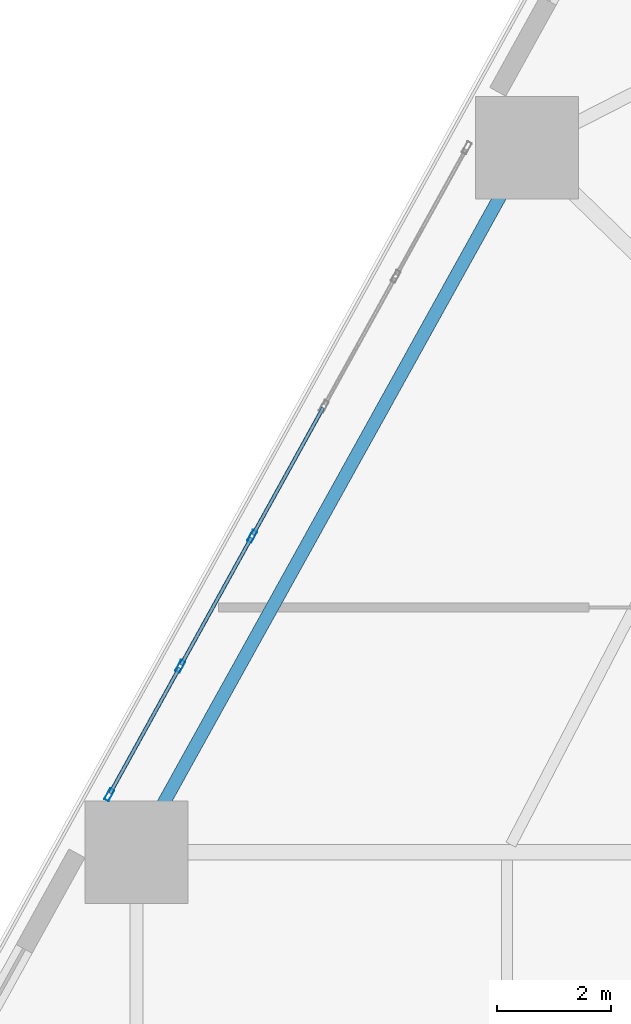
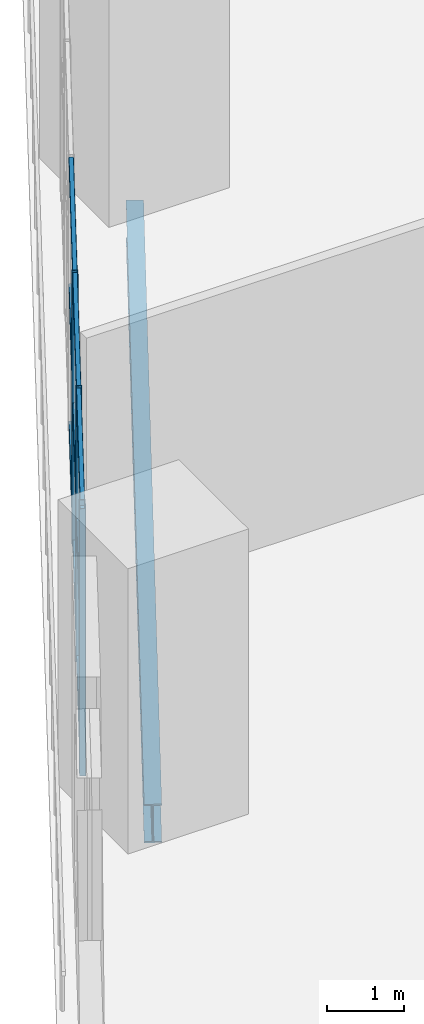
# One storey, part 5 of 18: 12 members, 1 beam, 1 element without a shape of its own.
"""IFC4 building model written with IfcOpenShell, lengths in metres."""

from ifc_helpers import new_model, si_unit, direction, frame, origin, origin_2d, place, context, subcontext, project, spatial, hollow_rectangle, i_section, extrude, material, layer, layer_set, material_profile, profile_set, type_object, element, aggregate, save


model = new_model("IFC4")

# Units and contexts
model_context = context("Model", 3, precision=1e-05, world=origin(), true_north=direction((0.0, 1.0)))
body_context = subcontext(model_context, "Body", "Model", "MODEL_VIEW")
ifc_project = project(units=[si_unit("LENGTHUNIT", "METRE"), si_unit("AREAUNIT", "SQUARE_METRE"), si_unit("VOLUMEUNIT", "CUBIC_METRE"), si_unit("PLANEANGLEUNIT", "RADIAN"), si_unit("MASSUNIT", "GRAM", prefix="KILO")], contexts=[model_context])

# Site, building, storey
site_placement = place(None, origin())
site = spatial("IfcSite", under=ifc_project, at=site_placement, CompositionType="ELEMENT")
building_placement = place(site_placement, origin())
building = spatial("IfcBuilding", under=site, at=building_placement, Name="Cinnabar Lancet Tower", CompositionType="ELEMENT")
storey_placement = place(building_placement, frame((0.0, 0.0, 15.0)))
storey = spatial("IfcBuildingStorey", under=building, at=storey_placement, Name="L03", CompositionType="ELEMENT", Elevation=15.0)

# Curtain wall, members
ifc_material_1 = material(Name="Thermally broken bronze-anodized aluminium and low-E glass", Category="aluminium")
ifc_layer = layer(ifc_material_1, 0.179931640625)
ifc_layer_set = layer_set([ifc_layer], Name="Thermally broken bronze-anodized aluminium and low-E glass")
curtain_wall_type = type_object("IfcCurtainWallType", Name="ENV-CW-SYS-02", PredefinedType="NOTDEFINED", material=ifc_layer_set)
curtain_wall_placement = place(storey_placement, origin())
curtain_wall = element("IfcCurtainWall", 1, at=curtain_wall_placement, inside=storey, type_object=curtain_wall_type, Name="L03 Face 5 Feature Curtain Wall", PredefinedType="NOTDEFINED")
ifc_material_2 = material(Name="Anodized architectural aluminium 6063-T6", Category="aluminium")
ifc_material_profile_1 = material_profile(ifc_material_2, hollow_rectangle(XDim=0.0849609375, YDim=0.219970703125, WallThickness=0.0048828125, InnerFilletRadius=0.00244140625, OuterFilletRadius=0.007568359375, at=origin_2d()), Name="CW-MUL 220x85x5")
ifc_profile_set_1 = profile_set([ifc_material_profile_1], Name="Anodized architectural aluminium 6063-T6")
member_type_1 = type_object("IfcMemberType", Name="ENV-CW-MUL-220", PredefinedType="MULLION", material=ifc_profile_set_1)
member_1_placement = place(storey_placement, frame((6.93701171875, 37.4453125, 0.0), z_axis=(0.0, 0.0, 1.0), x_axis=(0.875242391442, -0.48368456273, 0.0)))
member_1 = element("IfcMember", 2, at=member_1_placement, type_object=member_type_1, Name="CW-02 mullion 4", PredefinedType="MULLION", context=body_context, shape_type="SweptSolid", body=[
    extrude(hollow_rectangle(XDim=0.0849609375, YDim=0.219970703125, WallThickness=0.0048828125, InnerFilletRadius=0.00244140625, OuterFilletRadius=0.007568359375, at=origin_2d()), origin(), (0.0, 0.0, 1.0), 4.219970703125),
])
member_2_placement = place(storey_placement, frame((5.677978515625, 35.167236328125, 0.0), z_axis=(0.0, 0.0, 1.0), x_axis=(0.875242391442, -0.48368456273, 0.0)))
member_2 = element("IfcMember", 3, at=member_2_placement, type_object=member_type_1, Name="CW-02 mullion 5", PredefinedType="MULLION", context=body_context, shape_type="SweptSolid", body=[
    extrude(hollow_rectangle(XDim=0.0849609375, YDim=0.219970703125, WallThickness=0.0048828125, InnerFilletRadius=0.00244140625, OuterFilletRadius=0.007568359375, at=origin_2d()), origin(), (0.0, 0.0, 1.0), 4.219970703125),
])
member_3_placement = place(storey_placement, frame((4.43359375, 32.915283203125, 0.0), z_axis=(0.0, 0.0, 1.0), x_axis=(0.875242391442, -0.48368456273, 0.0)))
member_3 = element("IfcMember", 4, at=member_3_placement, type_object=member_type_1, Name="CW-02 mullion 6", PredefinedType="MULLION", context=body_context, shape_type="SweptSolid", body=[
    extrude(hollow_rectangle(XDim=0.0849609375, YDim=0.219970703125, WallThickness=0.0048828125, InnerFilletRadius=0.00244140625, OuterFilletRadius=0.007568359375, at=origin_2d()), origin(), (0.0, 0.0, 1.0), 4.219970703125),
])
ifc_material_3 = material(Name="Anodized architectural aluminium 6063-T6", Category="aluminium")
ifc_material_profile_2 = material_profile(ifc_material_3, hollow_rectangle(XDim=0.06494140625, YDim=0.14990234375, WallThickness=0.00390625, InnerFilletRadius=0.001953125, OuterFilletRadius=0.006103515625, at=origin_2d()), Name="CW-TRN 150x65x4")
ifc_profile_set_2 = profile_set([ifc_material_profile_2], Name="Anodized architectural aluminium 6063-T6")
member_type_2 = type_object("IfcMemberType", Name="ENV-CW-TRN-160", PredefinedType="USERDEFINED", material=ifc_profile_set_2)
member_4_placement = place(storey_placement, frame((8.181396484375, 39.697265625, 0.030029296875), z_axis=(-0.483701595558, -0.875232978386, 0.0), x_axis=(0.875232978386, -0.483701595558, 0.0)))
member_4 = element("IfcMember", 5, at=member_4_placement, type_object=member_type_2, Name="CW-02 transom 3.1", ObjectType="TRANSOM", PredefinedType="USERDEFINED", context=body_context, shape_type="SweptSolid", body=[
    extrude(hollow_rectangle(XDim=0.06494140625, YDim=0.14990234375, WallThickness=0.00390625, InnerFilletRadius=0.001953125, OuterFilletRadius=0.006103515625, at=origin_2d()), origin(), (0.0, 0.0, 1.0), 2.54296875),
])
member_5_placement = place(storey_placement, frame((8.181396484375, 39.697265625, 2.194091796875), z_axis=(-0.483701595558, -0.875232978386, 0.0), x_axis=(0.875232978386, -0.483701595558, 0.0)))
member_5 = element("IfcMember", 6, at=member_5_placement, type_object=member_type_2, Name="CW-02 transom 3.2", ObjectType="TRANSOM", PredefinedType="USERDEFINED", context=body_context, shape_type="SweptSolid", body=[
    extrude(hollow_rectangle(XDim=0.06494140625, YDim=0.14990234375, WallThickness=0.00390625, InnerFilletRadius=0.001953125, OuterFilletRadius=0.006103515625, at=origin_2d()), origin(), (0.0, 0.0, 1.0), 2.54296875),
])
member_6_placement = place(storey_placement, frame((8.181396484375, 39.697265625, 4.18994140625), z_axis=(-0.483701595558, -0.875232978386, 0.0), x_axis=(0.875232978386, -0.483701595558, 0.0)))
member_6 = element("IfcMember", 7, at=member_6_placement, type_object=member_type_2, Name="CW-02 transom 3.3", ObjectType="TRANSOM", PredefinedType="USERDEFINED", context=body_context, shape_type="SweptSolid", body=[
    extrude(hollow_rectangle(XDim=0.06494140625, YDim=0.14990234375, WallThickness=0.00390625, InnerFilletRadius=0.001953125, OuterFilletRadius=0.006103515625, at=origin_2d()), origin(), (0.0, 0.0, 1.0), 2.54296875),
])
member_7_placement = place(storey_placement, frame((6.922607421875, 37.419189453125, 0.030029296875), z_axis=(-0.483660952196, -0.875255438898, 0.0), x_axis=(0.875255438898, -0.483660952196, 0.0)))
member_7 = element("IfcMember", 8, at=member_7_placement, type_object=member_type_2, Name="CW-02 transom 4.1", ObjectType="TRANSOM", PredefinedType="USERDEFINED", context=body_context, shape_type="SweptSolid", body=[
    extrude(hollow_rectangle(XDim=0.06494140625, YDim=0.14990234375, WallThickness=0.00390625, InnerFilletRadius=0.001953125, OuterFilletRadius=0.006103515625, at=origin_2d()), origin(), (0.0, 0.0, 1.0), 2.54296875),
])
member_8_placement = place(storey_placement, frame((6.922607421875, 37.419189453125, 2.194091796875), z_axis=(-0.483660952196, -0.875255438898, 0.0), x_axis=(0.875255438898, -0.483660952196, 0.0)))
member_8 = element("IfcMember", 9, at=member_8_placement, type_object=member_type_2, Name="CW-02 transom 4.2", ObjectType="TRANSOM", PredefinedType="USERDEFINED", context=body_context, shape_type="SweptSolid", body=[
    extrude(hollow_rectangle(XDim=0.06494140625, YDim=0.14990234375, WallThickness=0.00390625, InnerFilletRadius=0.001953125, OuterFilletRadius=0.006103515625, at=origin_2d()), origin(), (0.0, 0.0, 1.0), 2.54296875),
])
member_9_placement = place(storey_placement, frame((6.922607421875, 37.419189453125, 4.18994140625), z_axis=(-0.483660952196, -0.875255438898, 0.0), x_axis=(0.875255438898, -0.483660952196, 0.0)))
member_9 = element("IfcMember", 10, at=member_9_placement, type_object=member_type_2, Name="CW-02 transom 4.3", ObjectType="TRANSOM", PredefinedType="USERDEFINED", context=body_context, shape_type="SweptSolid", body=[
    extrude(hollow_rectangle(XDim=0.06494140625, YDim=0.14990234375, WallThickness=0.00390625, InnerFilletRadius=0.001953125, OuterFilletRadius=0.006103515625, at=origin_2d()), origin(), (0.0, 0.0, 1.0), 2.54296875),
])
member_10_placement = place(storey_placement, frame((5.66357421875, 35.140869140625, 0.030029296875), z_axis=(-0.483711571576, -0.875227465019, 0.0), x_axis=(0.875227465019, -0.483711571576, 0.0)))
member_10 = element("IfcMember", 11, at=member_10_placement, type_object=member_type_2, Name="CW-02 transom 5.1", ObjectType="TRANSOM", PredefinedType="USERDEFINED", context=body_context, shape_type="SweptSolid", body=[
    extrude(hollow_rectangle(XDim=0.06494140625, YDim=0.14990234375, WallThickness=0.00390625, InnerFilletRadius=0.001953125, OuterFilletRadius=0.006103515625, at=origin_2d()), origin(), (0.0, 0.0, 1.0), 2.512939453125),
])
member_11_placement = place(storey_placement, frame((5.66357421875, 35.140869140625, 2.194091796875), z_axis=(-0.483711571576, -0.875227465019, 0.0), x_axis=(0.875227465019, -0.483711571576, 0.0)))
member_11 = element("IfcMember", 12, at=member_11_placement, type_object=member_type_2, Name="CW-02 transom 5.2", ObjectType="TRANSOM", PredefinedType="USERDEFINED", context=body_context, shape_type="SweptSolid", body=[
    extrude(hollow_rectangle(XDim=0.06494140625, YDim=0.14990234375, WallThickness=0.00390625, InnerFilletRadius=0.001953125, OuterFilletRadius=0.006103515625, at=origin_2d()), origin(), (0.0, 0.0, 1.0), 2.512939453125),
])
member_12_placement = place(storey_placement, frame((5.66357421875, 35.140869140625, 4.18994140625), z_axis=(-0.483711571576, -0.875227465019, 0.0), x_axis=(0.875227465019, -0.483711571576, 0.0)))
member_12 = element("IfcMember", 13, at=member_12_placement, type_object=member_type_2, Name="CW-02 transom 5.3", ObjectType="TRANSOM", PredefinedType="USERDEFINED", context=body_context, shape_type="SweptSolid", body=[
    extrude(hollow_rectangle(XDim=0.06494140625, YDim=0.14990234375, WallThickness=0.00390625, InnerFilletRadius=0.001953125, OuterFilletRadius=0.006103515625, at=origin_2d()), origin(), (0.0, 0.0, 1.0), 2.512939453125),
])
aggregate(curtain_wall, [member_1, member_2, member_3, member_4, member_5, member_6, member_7, member_8, member_9, member_10, member_11, member_12])

# Beam
ifc_material_4 = material(Name="Structural steel S355", Category="steel")
ifc_material_profile_3 = material_profile(ifc_material_4, i_section(OverallWidth=0.228271484375, OverallDepth=0.607666015625, WebThickness=0.010986328125, FlangeThickness=0.017333984375, FilletRadius=0.0126953125, at=origin_2d()), Name="UKB 610x229x113")
ifc_profile_set_3 = profile_set([ifc_material_profile_3], Name="Structural steel S355")
beam_type = type_object("IfcBeamType", Name="STR-BM-SPN-610", PredefinedType="SPANDREL", material=ifc_profile_set_3)
beam_placement = place(storey_placement, frame((11.635986328125, 44.037109375, -0.553955078125), z_axis=(-0.485037056876, -0.874493598294, 0.0), x_axis=(0.874493598294, -0.485037056876, 0.0)))
element("IfcBeam", 14, at=beam_placement, inside=storey, type_object=beam_type, Name="L03 Perimeter Spandrel 9", PredefinedType="SPANDREL", context=body_context, shape_type="SweptSolid", body=[
    extrude(i_section(OverallWidth=0.228271484375, OverallDepth=0.607666015625, WebThickness=0.010986328125, FlangeThickness=0.017333984375, FilletRadius=0.0126953125, at=origin_2d()), origin(), (0.0, 0.0, 1.0), 13.619384765625),
])

save(model, "model.ifc")
